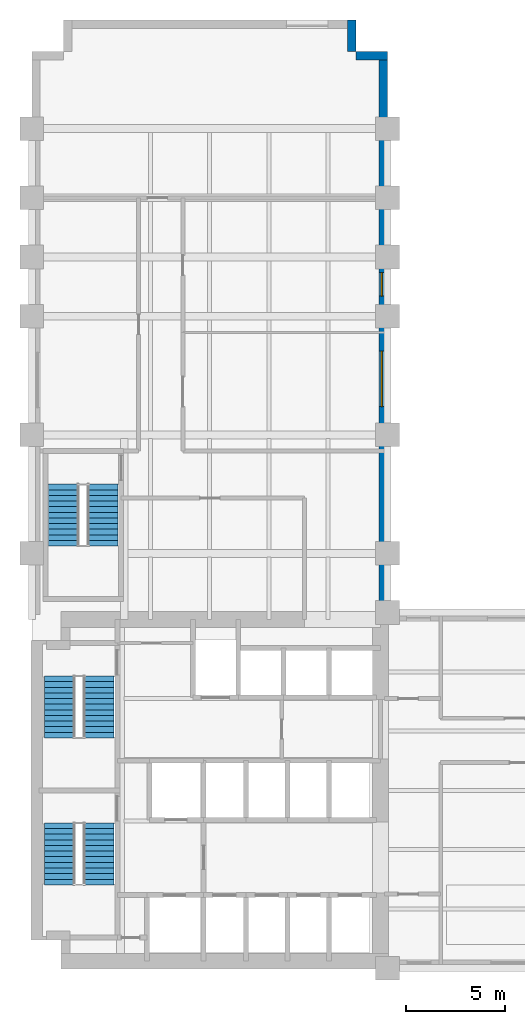
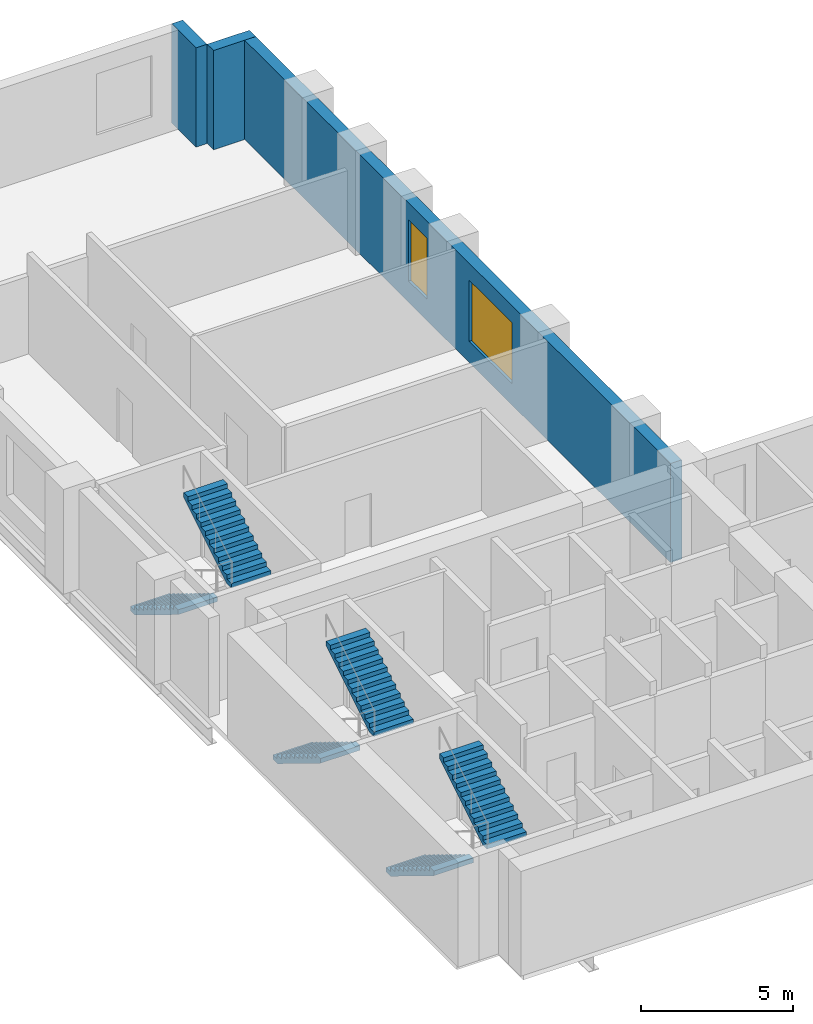
# One storey, part 6 of 7: 6 stair flights, 3 walls, 2 windows, 2 openings, 3 elements without a shape of their own.
"""IFC4 building model written with IfcOpenShell, lengths in metres."""

from ifc_helpers import new_model, si_unit, direction, frame, frame_2d, origin, place, context, subcontext, project, spatial, polyline, rectangle, outline, extrude, material, layer, layer_set, type_object, element, fill, aggregate, save


model = new_model("IFC4")

# Units and contexts
model_context = context("Model", 3, precision=1e-05, world=origin(), true_north=direction((0.0, 1.0)))
body_context = subcontext(model_context, "Body", "Model", "MODEL_VIEW")
ifc_project = project(units=[si_unit("LENGTHUNIT", "METRE"), si_unit("AREAUNIT", "SQUARE_METRE"), si_unit("VOLUMEUNIT", "CUBIC_METRE"), si_unit("PLANEANGLEUNIT", "RADIAN"), si_unit("MASSUNIT", "GRAM", prefix="KILO")], contexts=[model_context])

# Site, building, storey
site_placement = place(None, origin())
site = spatial("IfcSite", under=ifc_project, at=site_placement, CompositionType="ELEMENT")
building_placement = place(site_placement, origin())
building = spatial("IfcBuilding", under=site, at=building_placement, Name="Mawjdan Bourse Tower", CompositionType="ELEMENT")
storey_placement = place(building_placement, frame((0.0, 0.0, 42.60009765625)))
storey = spatial("IfcBuildingStorey", under=building, at=storey_placement, Name="L09", CompositionType="ELEMENT", Elevation=42.60009765625)

# Wall, openings, windows
ifc_material_1 = material(Name="Brick Masonry Buff", Category="masonry")
ifc_layer = layer(ifc_material_1, 0.419921875)
ifc_layer_set = layer_set([ifc_layer], Name="Brick Masonry Buff")
wall_type = type_object("IfcWallType", Name="WL-BRK-BUFF-420", PredefinedType="STANDARD", material=ifc_layer_set)
wall_placement = place(storey_placement, frame((23.7900390625, 21.0, 0.0), z_axis=(0.0, 0.0, 1.0), x_axis=(0.0, 1.0, 0.0)))
wall = element("IfcWall", 1, at=wall_placement, inside=storey, type_object=wall_type, Name="L09 Exterior Brick Wall 8", PredefinedType="STANDARD", context=body_context, shape_type="SweptSolid", body=[
    extrude(rectangle(XDim=28.39990234375, YDim=0.419921875, at=frame_2d((14.199951171875, 0.0))), origin(), (0.0, 0.0, 1.0), 3.97998046875),
])
opening_1_placement = place(wall_placement, frame((10.433349609375, 0.0, 0.85009765625)))
opening_1 = element("IfcOpeningElement", 2, at=opening_1_placement, cuts=wall, Name="Opening W-L09-04", PredefinedType="OPENING", context=body_context, shape_type="SweptSolid", body=[
    extrude(rectangle(XDim=2.800048828125, YDim=2.449951171875, at=frame_2d((1.39990234375, 1.22509765625))), frame((0.0, 0.219970703125, 0.0), z_axis=(0.0, -1.0, 0.0), x_axis=(1.0, 0.0, 0.0)), (0.0, 0.0, 1.0), 0.43994140625),
])
opening_2_placement = place(wall_placement, frame((16.01611328125, 0.0, 0.85009765625)))
opening_2 = element("IfcOpeningElement", 3, at=opening_2_placement, cuts=wall, Name="Opening W-L09-15", PredefinedType="OPENING", context=body_context, shape_type="SweptSolid", body=[
    extrude(rectangle(XDim=1.199951171875, YDim=2.449951171875, at=frame_2d((0.60009765625, 1.22509765625))), frame((0.0, 0.219970703125, 0.0), z_axis=(0.0, -1.0, 0.0), x_axis=(1.0, 0.0, 0.0)), (0.0, 0.0, 1.0), 0.43994140625),
])
ifc_material_2 = material(Name="Solar-Control Clear Double Glazing", Category="glass")
window_type_1 = type_object("IfcWindowType", Name="WN-TRD-1200", PartitioningType="SINGLE_PANEL", PredefinedType="WINDOW", material=ifc_material_2)
window_1_placement = place(opening_2_placement, origin())
window_1 = element("IfcWindow", 4, at=window_1_placement, inside=storey, type_object=window_type_1, Name="L09 Deep-Set Masonry Window W-L09-15", OverallHeight=2.449951171875, OverallWidth=1.199951171875, PartitioningType="SINGLE_PANEL", PredefinedType="WINDOW", context=body_context, shape_type="SweptSolid", body=[
    extrude(rectangle(XDim=1.199951171875, YDim=2.449951171875, at=frame_2d((0.60009765625, 1.22509765625))), frame((0.0, 0.110107421875, 0.0), z_axis=(0.0, -1.0, 0.0), x_axis=(1.0, 0.0, 0.0)), (0.0, 0.0, 1.0), 0.06005859375),
])
fill(opening_2, window_1)
window_type_2 = type_object("IfcWindowType", Name="WN-TRD-2800", PartitioningType="SINGLE_PANEL", PredefinedType="WINDOW", material=ifc_material_2)
window_2_placement = place(opening_1_placement, origin())
window_2 = element("IfcWindow", 5, at=window_2_placement, inside=storey, type_object=window_type_2, Name="L09 Deep-Set Masonry Window W-L09-04", OverallHeight=2.449951171875, OverallWidth=2.800048828125, PartitioningType="SINGLE_PANEL", PredefinedType="WINDOW", context=body_context, shape_type="SweptSolid", body=[
    extrude(rectangle(XDim=2.800048828125, YDim=2.449951171875, at=frame_2d((1.39990234375, 1.22509765625))), frame((0.0, 0.110107421875, 0.0), z_axis=(0.0, -1.0, 0.0), x_axis=(1.0, 0.0, 0.0)), (0.0, 0.0, 1.0), 0.06005859375),
])
fill(opening_1, window_2)

# Walls
for number, where, z_axis, x_axis, name in (
    (6, (24.0, 49.18994140625, 0.0), (0.0, 0.0, 1.0), (-1.0, 0.0, 0.0), "L09 Exterior Brick Wall 9"),
    (7, (22.18994140625, 49.39990234375, 0.0), (0.0, 0.0, 1.0), (0.0, 1.0, 0.0), "L09 Exterior Brick Wall 10"),
):
    element("IfcWall", number, at=place(storey_placement, frame(where, z_axis=z_axis, x_axis=x_axis)), inside=storey, type_object=wall_type, Name=name, PredefinedType="STANDARD", context=body_context, shape_type="SweptSolid", body=[
        extrude(rectangle(XDim=1.60009765625, YDim=0.419921875, at=frame_2d((0.800048828125, 0.0))), origin(), (0.0, 0.0, 1.0), 3.97998046875),
    ])

# Stair, stair flights
ifc_material_3 = material(Name="Concrete C50/60", Category="concrete")
stair_type = type_object("IfcStairType", Name="STR-CORE-1500", PredefinedType="HALF_TURN_STAIR", material=ifc_material_3)
stair_1_placement = place(storey_placement, origin())
stair_1 = element("IfcStair", 8, at=stair_1_placement, inside=storey, type_object=stair_type, Name="L09 Exit Stair 1 (Core South-West)", PredefinedType="HALF_TURN_STAIR")
stair_flight_type = type_object("IfcStairFlightType", Name="SFL-RC-1500", PredefinedType="STRAIGHT", material=ifc_material_3)
stair_flight_1_placement = place(storey_placement, frame((7.389892578125, 10.35009765625, 0.0), z_axis=(0.0, 0.0, 1.0), x_axis=(0.0, -1.0, 0.0)))
stair_flight_1 = element("IfcStairFlight", 9, at=stair_flight_1_placement, type_object=stair_flight_type, Name="ST1-L09 flight 1", NumberOfRisers=12, NumberOfTreads=11, PredefinedType="STRAIGHT", RiserHeight=0.175, TreadLength=0.285, context=body_context, shape_type="SweptSolid", body=[
    extrude(outline(polyline([(0.0, 0.0), (0.0, 0.175048828125), (0.284912109375, 0.175048828125), (0.284912109375, 0.35009765625), (0.570068359375, 0.35009765625), (0.570068359375, 0.52490234375), (0.85498046875, 0.52490234375), (0.85498046875, 0.699951171875), (1.139892578125, 0.699951171875), (1.139892578125, 0.875), (1.425048828125, 0.875), (1.425048828125, 1.050048828125), (1.7099609375, 1.050048828125), (1.7099609375, 1.22509765625), (1.9951171875, 1.22509765625), (1.9951171875, 1.39990234375), (2.280029296875, 1.39990234375), (2.280029296875, 1.574951171875), (2.56494140625, 1.574951171875), (2.56494140625, 1.75), (2.85009765625, 1.75), (2.85009765625, 1.925048828125), (3.135009765625, 1.925048828125), (3.135009765625, 2.10009765625), (3.135009765625, 1.7373046875), (0.3056640625, 0.0), (0.0, 0.0)])), frame((0.0, 0.75, 0.0), z_axis=(0.0, -1.0, 0.0), x_axis=(1.0, 0.0, 0.0)), (0.0, 0.0, 1.0), 1.5),
])
stair_flight_2_placement = place(storey_placement, frame((9.409912109375, 7.215087890625, 2.099853515625), z_axis=(0.0, 0.0, 1.0), x_axis=(0.0, 1.0, 0.0)))
stair_flight_2 = element("IfcStairFlight", 10, at=stair_flight_2_placement, type_object=stair_flight_type, Name="ST1-L09 flight 2", NumberOfRisers=12, NumberOfTreads=11, PredefinedType="STRAIGHT", RiserHeight=0.175, TreadLength=0.285, context=body_context, shape_type="SweptSolid", body=[
    extrude(outline(polyline([(0.0, 0.0), (0.0, 0.175048828125), (0.284912109375, 0.175048828125), (0.284912109375, 0.35009765625), (0.570068359375, 0.35009765625), (0.570068359375, 0.52490234375), (0.85498046875, 0.52490234375), (0.85498046875, 0.699951171875), (1.139892578125, 0.699951171875), (1.139892578125, 0.875), (1.425048828125, 0.875), (1.425048828125, 1.050048828125), (1.7099609375, 1.050048828125), (1.7099609375, 1.22509765625), (1.9951171875, 1.22509765625), (1.9951171875, 1.39990234375), (2.280029296875, 1.39990234375), (2.280029296875, 1.574951171875), (2.56494140625, 1.574951171875), (2.56494140625, 1.75), (2.85009765625, 1.75), (2.85009765625, 1.925048828125), (3.135009765625, 1.925048828125), (3.135009765625, 2.10009765625), (3.135009765625, 1.7373046875), (0.3056640625, 0.0), (0.0, 0.0)])), frame((0.0, 0.75, 0.0), z_axis=(0.0, -1.0, 0.0), x_axis=(1.0, 0.0, 0.0)), (0.0, 0.0, 1.0), 1.5),
])
aggregate(stair_1, [stair_flight_1, stair_flight_2])

stair_2_placement = place(storey_placement, origin())
stair_2 = element("IfcStair", 11, at=stair_2_placement, inside=storey, type_object=stair_type, Name="L09 Exit Stair 2 (Core North-West)", PredefinedType="HALF_TURN_STAIR")
stair_flight_3_placement = place(storey_placement, frame((7.389892578125, 17.7900390625, 0.0), z_axis=(0.0, 0.0, 1.0), x_axis=(0.0, -1.0, 0.0)))
stair_flight_3 = element("IfcStairFlight", 12, at=stair_flight_3_placement, type_object=stair_flight_type, Name="ST2-L09 flight 1", NumberOfRisers=12, NumberOfTreads=11, PredefinedType="STRAIGHT", RiserHeight=0.175, TreadLength=0.285, context=body_context, shape_type="SweptSolid", body=[
    extrude(outline(polyline([(0.0, 0.0), (0.0, 0.175048828125), (0.284912109375, 0.175048828125), (0.284912109375, 0.35009765625), (0.570068359375, 0.35009765625), (0.570068359375, 0.52490234375), (0.85498046875, 0.52490234375), (0.85498046875, 0.699951171875), (1.139892578125, 0.699951171875), (1.139892578125, 0.875), (1.425048828125, 0.875), (1.425048828125, 1.050048828125), (1.7099609375, 1.050048828125), (1.7099609375, 1.22509765625), (1.9951171875, 1.22509765625), (1.9951171875, 1.39990234375), (2.280029296875, 1.39990234375), (2.280029296875, 1.574951171875), (2.56494140625, 1.574951171875), (2.56494140625, 1.75), (2.85009765625, 1.75), (2.85009765625, 1.925048828125), (3.135009765625, 1.925048828125), (3.135009765625, 2.10009765625), (3.135009765625, 1.7373046875), (0.3056640625, 0.0), (0.0, 0.0)])), frame((0.0, 0.75, 0.0), z_axis=(0.0, -1.0, 0.0), x_axis=(1.0, 0.0, 0.0)), (0.0, 0.0, 1.0), 1.5),
])
stair_flight_4_placement = place(storey_placement, frame((9.409912109375, 14.655029296875, 2.099853515625), z_axis=(0.0, 0.0, 1.0), x_axis=(0.0, 1.0, 0.0)))
stair_flight_4 = element("IfcStairFlight", 13, at=stair_flight_4_placement, type_object=stair_flight_type, Name="ST2-L09 flight 2", NumberOfRisers=12, NumberOfTreads=11, PredefinedType="STRAIGHT", RiserHeight=0.175, TreadLength=0.285, context=body_context, shape_type="SweptSolid", body=[
    extrude(outline(polyline([(0.0, 0.0), (0.0, 0.175048828125), (0.284912109375, 0.175048828125), (0.284912109375, 0.35009765625), (0.570068359375, 0.35009765625), (0.570068359375, 0.52490234375), (0.85498046875, 0.52490234375), (0.85498046875, 0.699951171875), (1.139892578125, 0.699951171875), (1.139892578125, 0.875), (1.425048828125, 0.875), (1.425048828125, 1.050048828125), (1.7099609375, 1.050048828125), (1.7099609375, 1.22509765625), (1.9951171875, 1.22509765625), (1.9951171875, 1.39990234375), (2.280029296875, 1.39990234375), (2.280029296875, 1.574951171875), (2.56494140625, 1.574951171875), (2.56494140625, 1.75), (2.85009765625, 1.75), (2.85009765625, 1.925048828125), (3.135009765625, 1.925048828125), (3.135009765625, 2.10009765625), (3.135009765625, 1.7373046875), (0.3056640625, 0.0), (0.0, 0.0)])), frame((0.0, 0.75, 0.0), z_axis=(0.0, -1.0, 0.0), x_axis=(1.0, 0.0, 0.0)), (0.0, 0.0, 1.0), 1.5),
])
aggregate(stair_2, [stair_flight_3, stair_flight_4])

stair_3_placement = place(storey_placement, origin())
stair_3 = element("IfcStair", 14, at=stair_3_placement, inside=storey, type_object=stair_type, Name="L09 Exit Stair 3 (North Wing)", PredefinedType="HALF_TURN_STAIR")
stair_flight_5_placement = place(storey_placement, frame((7.590087890625, 27.5, 0.0), z_axis=(0.0, 0.0, 1.0), x_axis=(0.0, -1.0, 0.0)))
stair_flight_5 = element("IfcStairFlight", 15, at=stair_flight_5_placement, type_object=stair_flight_type, Name="ST3-L09 flight 1", NumberOfRisers=12, NumberOfTreads=11, PredefinedType="STRAIGHT", RiserHeight=0.175, TreadLength=0.285, context=body_context, shape_type="SweptSolid", body=[
    extrude(outline(polyline([(0.0, 0.0), (0.0, 0.175048828125), (0.284912109375, 0.175048828125), (0.284912109375, 0.35009765625), (0.570068359375, 0.35009765625), (0.570068359375, 0.52490234375), (0.85498046875, 0.52490234375), (0.85498046875, 0.699951171875), (1.139892578125, 0.699951171875), (1.139892578125, 0.875), (1.425048828125, 0.875), (1.425048828125, 1.050048828125), (1.7099609375, 1.050048828125), (1.7099609375, 1.22509765625), (1.9951171875, 1.22509765625), (1.9951171875, 1.39990234375), (2.280029296875, 1.39990234375), (2.280029296875, 1.574951171875), (2.56494140625, 1.574951171875), (2.56494140625, 1.75), (2.85009765625, 1.75), (2.85009765625, 1.925048828125), (3.135009765625, 1.925048828125), (3.135009765625, 2.10009765625), (3.135009765625, 1.7373046875), (0.3056640625, 0.0), (0.0, 0.0)])), frame((0.0, 0.75, 0.0), z_axis=(0.0, -1.0, 0.0), x_axis=(1.0, 0.0, 0.0)), (0.0, 0.0, 1.0), 1.5),
])
stair_flight_6_placement = place(storey_placement, frame((9.610107421875, 24.364990234375, 2.099853515625), z_axis=(0.0, 0.0, 1.0), x_axis=(0.0, 1.0, 0.0)))
stair_flight_6 = element("IfcStairFlight", 16, at=stair_flight_6_placement, type_object=stair_flight_type, Name="ST3-L09 flight 2", NumberOfRisers=12, NumberOfTreads=11, PredefinedType="STRAIGHT", RiserHeight=0.175, TreadLength=0.285, context=body_context, shape_type="SweptSolid", body=[
    extrude(outline(polyline([(0.0, 0.0), (0.0, 0.175048828125), (0.284912109375, 0.175048828125), (0.284912109375, 0.35009765625), (0.570068359375, 0.35009765625), (0.570068359375, 0.52490234375), (0.85498046875, 0.52490234375), (0.85498046875, 0.699951171875), (1.139892578125, 0.699951171875), (1.139892578125, 0.875), (1.425048828125, 0.875), (1.425048828125, 1.050048828125), (1.7099609375, 1.050048828125), (1.7099609375, 1.22509765625), (1.9951171875, 1.22509765625), (1.9951171875, 1.39990234375), (2.280029296875, 1.39990234375), (2.280029296875, 1.574951171875), (2.56494140625, 1.574951171875), (2.56494140625, 1.75), (2.85009765625, 1.75), (2.85009765625, 1.925048828125), (3.135009765625, 1.925048828125), (3.135009765625, 2.10009765625), (3.135009765625, 1.7373046875), (0.3056640625, 0.0), (0.0, 0.0)])), frame((0.0, 0.75, 0.0), z_axis=(0.0, -1.0, 0.0), x_axis=(1.0, 0.0, 0.0)), (0.0, 0.0, 1.0), 1.5),
])
aggregate(stair_3, [stair_flight_5, stair_flight_6])

save(model, "model.ifc")
